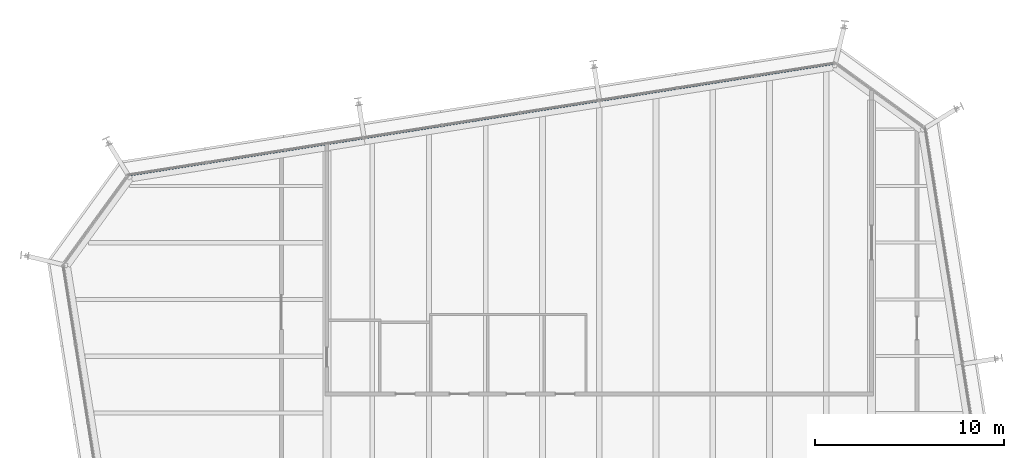
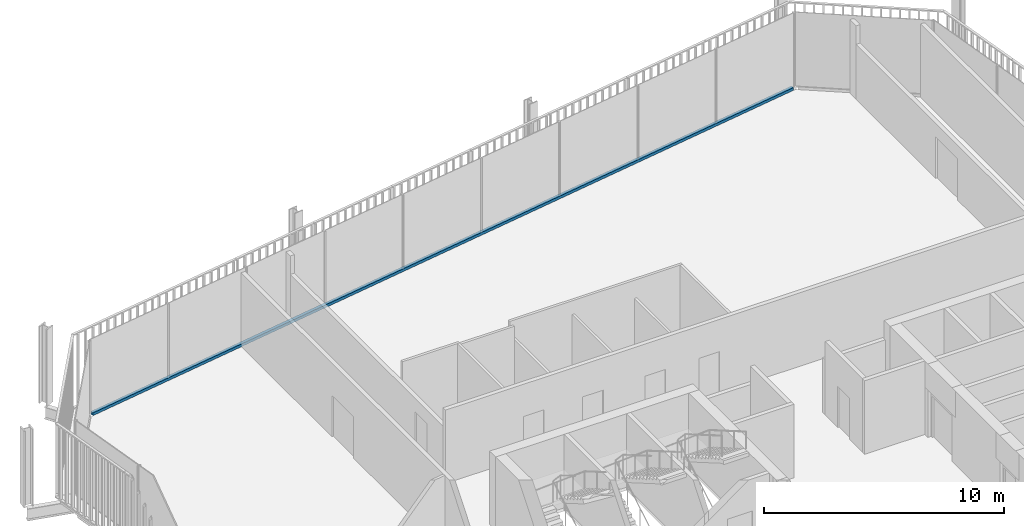
# One storey, part 13 of 20: 1 member, 1 element without a shape of its own.
"""IFC4 building model written with IfcOpenShell, lengths in metres."""

from ifc_helpers import new_model, si_unit, direction, frame, origin, origin_2d, place, context, subcontext, project, spatial, rectangle, extrude, material, layer, layer_set, material_profile, profile_set, type_object, element, aggregate, save


model = new_model("IFC4")

# Units and contexts
model_context = context("Model", 3, precision=1e-05, world=origin(), true_north=direction((0.0, 1.0)))
body_context = subcontext(model_context, "Body", "Model", "MODEL_VIEW")
ifc_project = project(units=[si_unit("LENGTHUNIT", "METRE"), si_unit("AREAUNIT", "SQUARE_METRE"), si_unit("VOLUMEUNIT", "CUBIC_METRE"), si_unit("PLANEANGLEUNIT", "RADIAN"), si_unit("MASSUNIT", "GRAM", prefix="KILO")], contexts=[model_context])

# Site, building, storey
site_placement = place(None, origin())
site = spatial("IfcSite", under=ifc_project, at=site_placement, CompositionType="ELEMENT")
building_placement = place(site_placement, origin())
building = spatial("IfcBuilding", under=site, at=building_placement, Name="Millrace Tower", CompositionType="ELEMENT")
storey_placement = place(building_placement, frame((0.0, 0.0, 259.10009765625)))
storey = spatial("IfcBuildingStorey", under=building, at=storey_placement, Name="L59", CompositionType="ELEMENT", Elevation=259.10009765625)

# Curtain wall, member
ifc_material_1 = material(Name="Aluminium and glass", Category="aluminium")
ifc_layer = layer(ifc_material_1, 0.14990234375)
ifc_layer_set = layer_set([ifc_layer], Name="Aluminium and glass")
curtain_wall_type = type_object("IfcCurtainWallType", Name="CW-1 office vision curtain wall", PredefinedType="NOTDEFINED", material=ifc_layer_set)
curtain_wall_placement = place(storey_placement, origin())
curtain_wall = element("IfcCurtainWall", 1, at=curtain_wall_placement, inside=storey, type_object=curtain_wall_type, Name="Curtain wall D-F06 L59", PredefinedType="NOTDEFINED")
ifc_material_2 = material(Name="Aluminium", Category="aluminium")
ifc_material_profile = material_profile(ifc_material_2, rectangle(XDim=0.14990234375, YDim=0.139892578125, at=origin_2d()))
ifc_profile_set = profile_set([ifc_material_profile], Name="Aluminium")
member_type = type_object("IfcMemberType", Name="CW-1 office vision curtain wall transom", PredefinedType="USERDEFINED", material=ifc_profile_set)
member_placement = place(storey_placement, frame((12.35888671875, 30.48193359375, 0.06982421875), z_axis=(-0.987687829698, -0.156437690685, 0.0), x_axis=(0.156437690685, -0.987687829698, 0.0)))
member = element("IfcMember", 2, at=member_placement, type_object=member_type, Name="CW1 transom D-F06.1", ObjectType="TRANSOM", PredefinedType="USERDEFINED", context=body_context, shape_type="SweptSolid", body=[
    extrude(rectangle(XDim=0.14990234375, YDim=0.139892578125, at=origin_2d()), origin(), (0.0, 0.0, 1.0), 37.60009765625),
])
aggregate(curtain_wall, [member])

save(model, "model.ifc")
